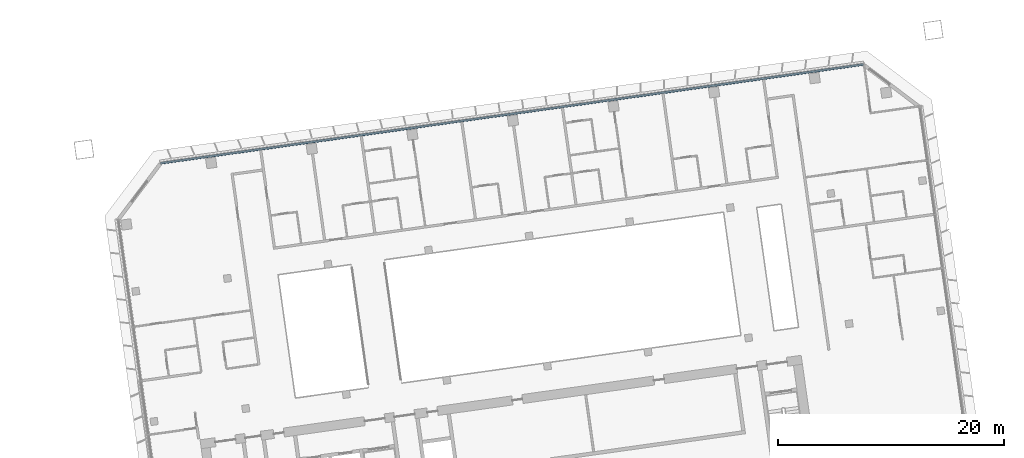
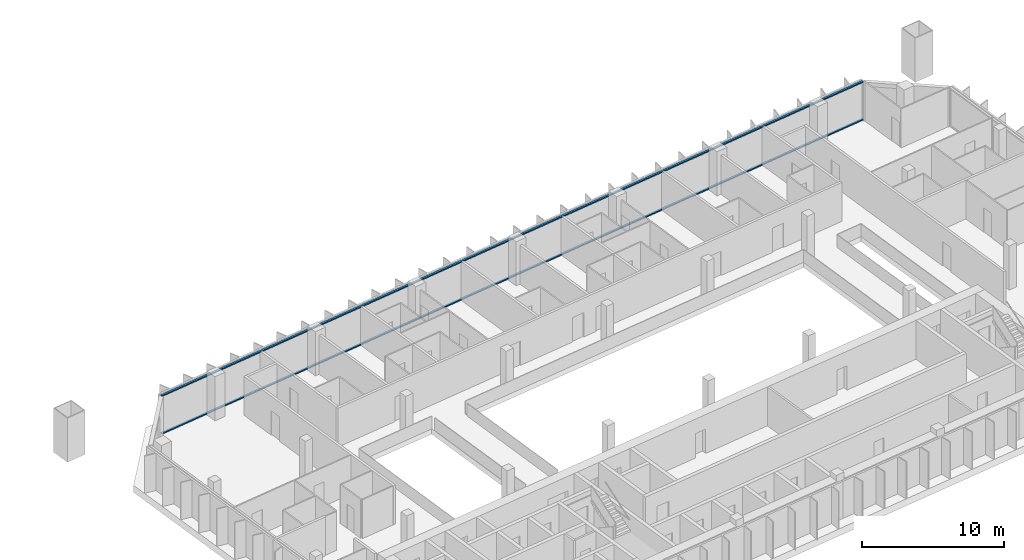
# One storey, part 9 of 26: 2 members, 1 element without a shape of its own.
"""IFC4 building model written with IfcOpenShell, lengths in metres."""

from ifc_helpers import new_model, si_unit, direction, frame, origin, origin_2d, place, context, subcontext, project, spatial, rectangle, extrude, material, material_profile, profile_set, type_object, element, aggregate, save


model = new_model("IFC4")

# Units and contexts
model_context = context("Model", 3, precision=1e-05, world=origin(), true_north=direction((0.0, 1.0)))
body_context = subcontext(model_context, "Body", "Model", "MODEL_VIEW")
ifc_project = project(units=[si_unit("LENGTHUNIT", "METRE"), si_unit("AREAUNIT", "SQUARE_METRE"), si_unit("VOLUMEUNIT", "CUBIC_METRE"), si_unit("PLANEANGLEUNIT", "RADIAN"), si_unit("MASSUNIT", "GRAM", prefix="KILO")], contexts=[model_context])

# Site, building, storey
site_placement = place(None, origin())
site = spatial("IfcSite", under=ifc_project, at=site_placement, CompositionType="ELEMENT")
building_placement = place(site_placement, origin())
building = spatial("IfcBuilding", under=site, at=building_placement, Name="Mirante Cascada Hotel Towers", CompositionType="ELEMENT")
storey_placement = place(building_placement, frame((0.0, 0.0, 140.5)))
storey = spatial("IfcBuildingStorey", under=building, at=storey_placement, Name="L32", CompositionType="ELEMENT", Elevation=140.5)

# Curtain wall, members
ifc_material_1 = material(Name="Aluminium mullion and transom frame with clear laminated glass", Category="aluminium")
curtain_wall_type = type_object("IfcCurtainWallType", Name="Ribbon curtain wall ECW1", PredefinedType="NOTDEFINED", material=ifc_material_1)
curtain_wall_placement = place(storey_placement, origin())
curtain_wall = element("IfcCurtainWall", 1, at=curtain_wall_placement, inside=storey, type_object=curtain_wall_type, Name="Front ribbon wall T2 L32", PredefinedType="NOTDEFINED")
ifc_material_2 = material(Name="Anodised aluminium extrusion", Category="aluminium")
ifc_material_profile = material_profile(ifc_material_2, rectangle(XDim=0.16, YDim=0.1, at=origin_2d()), Name="ECW1 TRANSOM 100x160")
ifc_profile_set = profile_set([ifc_material_profile], Name="Anodised aluminium extrusion")
member_type = type_object("IfcMemberType", Name="ECW1 transom 100x160", PredefinedType="USERDEFINED", material=ifc_profile_set)
member_1_placement = place(storey_placement, frame((94.1582, 26.0521, 0.05), z_axis=(-0.9902681, -0.1391728, 0.0), x_axis=(0.1391728, -0.9902681, 0.0)))
member_1 = element("IfcMember", 2, at=member_1_placement, type_object=member_type, Name="ECW1 sill transom", ObjectType="TRANSOM", PredefinedType="USERDEFINED", context=body_context, shape_type="SweptSolid", body=[
    extrude(rectangle(XDim=0.16, YDim=0.1, at=origin_2d()), origin(), (0.0, 0.0, 1.0), 62.8758),
])
member_2_placement = place(storey_placement, frame((94.1582, 26.0521, 3.3), z_axis=(-0.9902681, -0.1391728, 0.0), x_axis=(0.1391728, -0.9902681, 0.0)))
member_2 = element("IfcMember", 3, at=member_2_placement, type_object=member_type, Name="ECW1 head transom", ObjectType="TRANSOM", PredefinedType="USERDEFINED", context=body_context, shape_type="SweptSolid", body=[
    extrude(rectangle(XDim=0.16, YDim=0.1, at=origin_2d()), origin(), (0.0, 0.0, 1.0), 62.8758),
])
aggregate(curtain_wall, [member_1, member_2])

save(model, "model.ifc")
